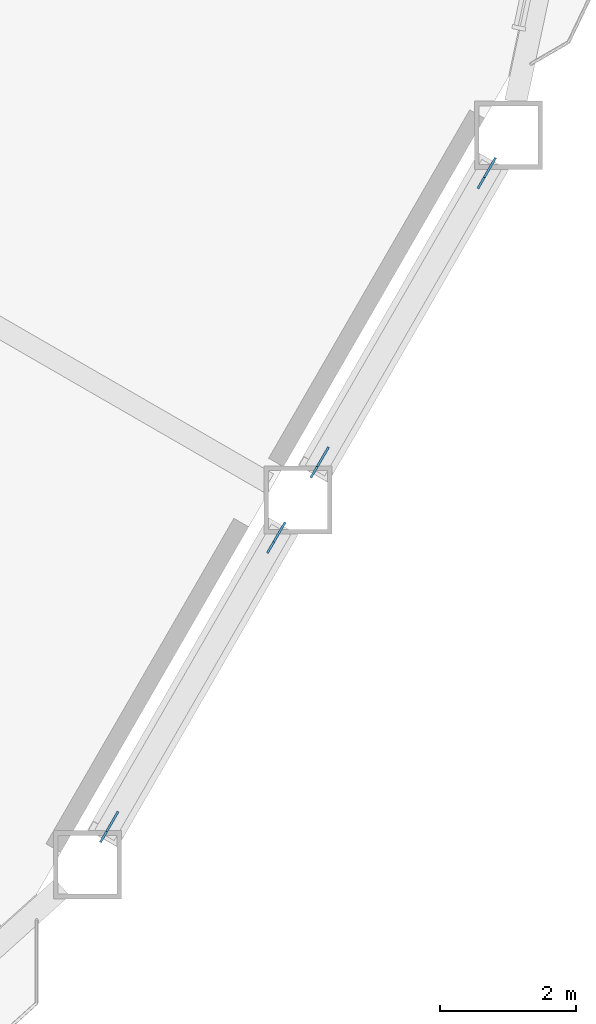
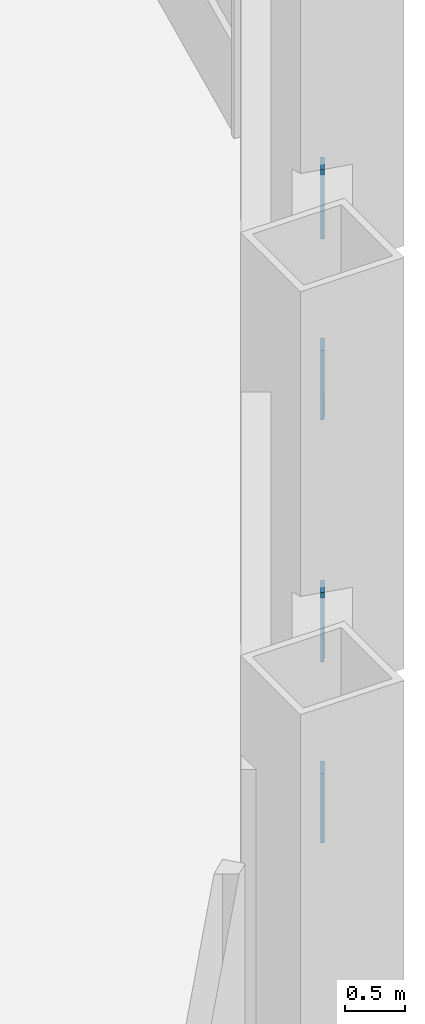
# One storey, part 14 of 20: 4 discrete accessories.
"""IFC4 building model written with IfcOpenShell, lengths in metres."""

from ifc_helpers import new_model, si_unit, direction, frame, origin, origin_2d, place, context, subcontext, project, spatial, rectangle, extrude, material, material_profile, profile_set, type_object, element, save


model = new_model("IFC4")

# Units and contexts
model_context = context("Model", 3, precision=1e-05, world=origin(), true_north=direction((0.0, 1.0)))
body_context = subcontext(model_context, "Body", "Model", "MODEL_VIEW")
ifc_project = project(units=[si_unit("LENGTHUNIT", "METRE"), si_unit("AREAUNIT", "SQUARE_METRE"), si_unit("VOLUMEUNIT", "CUBIC_METRE"), si_unit("PLANEANGLEUNIT", "RADIAN"), si_unit("MASSUNIT", "GRAM", prefix="KILO")], contexts=[model_context])

# Site, building, storey
site_placement = place(None, origin())
site = spatial("IfcSite", under=ifc_project, at=site_placement, CompositionType="ELEMENT")
building_placement = place(site_placement, origin())
building = spatial("IfcBuilding", under=site, at=building_placement, Name="Cormorant Prow Tower", CompositionType="ELEMENT")
storey_placement = place(building_placement, frame((0.0, 0.0, 38.39990234375)))
storey = spatial("IfcBuildingStorey", under=building, at=storey_placement, Name="L07", CompositionType="ELEMENT", Elevation=38.39990234375)

# Discrete accessories
ifc_material = material(Name="Structural steel ASTM A500 Gr C", Category="steel")
ifc_material_profile = material_profile(ifc_material, rectangle(XDim=0.031982421875, YDim=0.60791015625, at=origin_2d()), Name="Gusset plate 32x608")
ifc_profile_set = profile_set([ifc_material_profile], Name="Structural steel ASTM A500 Gr C")
discrete_accessory_type = type_object("IfcDiscreteAccessoryType", Name="Gusset plate 32x608", PredefinedType="BRACKET", material=ifc_profile_set)
discrete_accessory_1_placement = place(storey_placement, frame((27.512939453125, -16.813232421875, 0.859375), z_axis=(0.476464602218, 0.823872174553, -0.306946449452), x_axis=(-0.865660382551, 0.500631703033, 0.0)))
element("IfcDiscreteAccessory", 1, at=discrete_accessory_1_placement, inside=storey, type_object=discrete_accessory_type, Name="Gusset plate GP1 L07.ESE00.g0", PredefinedType="BRACKET", context=body_context, shape_type="SweptSolid", body=[
    extrude(rectangle(XDim=0.031982421875, YDim=0.60791015625, at=origin_2d()), origin(), (0.0, 0.0, 1.0), 0.349853515625),
])
for number, where, z_axis, x_axis, name in (
    (2, (25.232421875, -20.763427734375, 2.329833984375), (-0.475753220995, -0.824545905009, 0.306239976564), (0.866161185697, -0.499764745047, 0.0), "Gusset plate GP1 L07.ESE00.g1"),
    (3, (30.597900390625, -11.47021484375, 0.859375), (0.475651503409, 0.824369614413, -0.306871937683), (-0.866161185697, 0.499764745047, 0.0), "Gusset plate GP1 L07.ESE01.g0"),
):
    element("IfcDiscreteAccessory", number, at=place(storey_placement, frame(where, z_axis=z_axis, x_axis=x_axis)), inside=storey, type_object=discrete_accessory_type, Name=name, PredefinedType="BRACKET", context=body_context, shape_type="SweptSolid", body=[
        extrude(rectangle(XDim=0.031982421875, YDim=0.60791015625, at=origin_2d()), origin(), (0.0, 0.0, 1.0), 0.35009765625),
    ])
discrete_accessory_2_placement = place(storey_placement, frame((28.3173828125, -15.42041015625, 2.329833984375), z_axis=(-0.476566543187, -0.824048444368, 0.306314366704), x_axis=(0.865660382551, -0.500631703033, 0.0)))
element("IfcDiscreteAccessory", 4, at=discrete_accessory_2_placement, inside=storey, type_object=discrete_accessory_type, Name="Gusset plate GP1 L07.ESE01.g1", PredefinedType="BRACKET", context=body_context, shape_type="SweptSolid", body=[
    extrude(rectangle(XDim=0.031982421875, YDim=0.60791015625, at=origin_2d()), origin(), (0.0, 0.0, 1.0), 0.349853515625),
])

save(model, "model.ifc")
